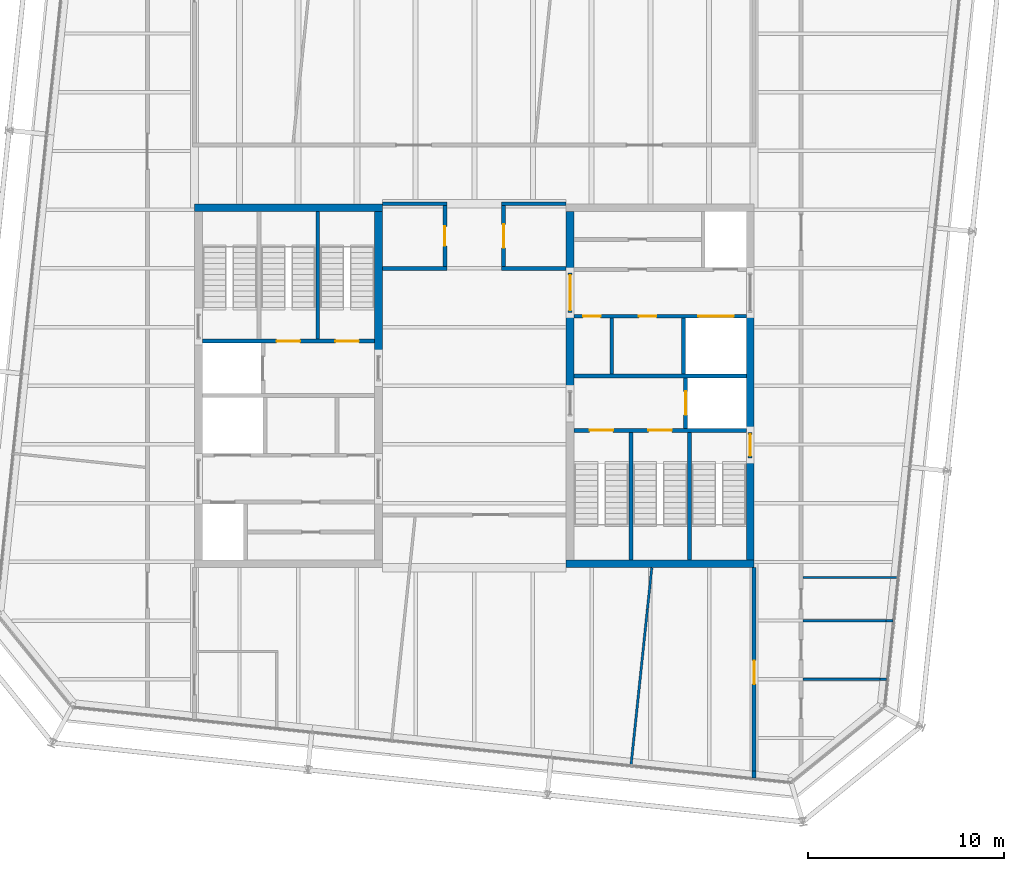
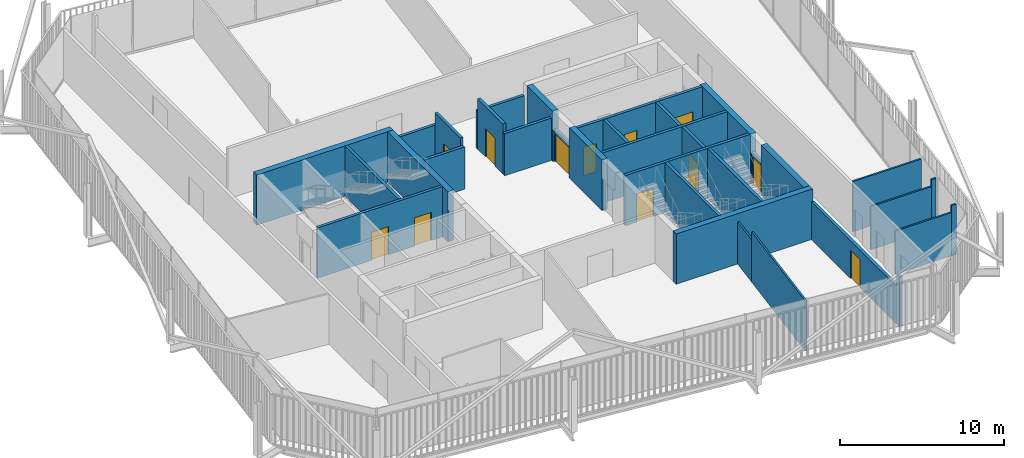
# One storey, part 18 of 21: 34 walls, 13 doors, 13 openings.
"""IFC4 building model written with IfcOpenShell, lengths in metres."""

from ifc_helpers import new_model, si_unit, direction, frame, frame_2d, origin, place, context, subcontext, project, spatial, rectangle, extrude, material, layer, layer_set, type_object, element, fill, save


model = new_model("IFC4")

# Units and contexts
model_context = context("Model", 3, precision=1e-05, world=origin(), true_north=direction((0.0, 1.0)))
body_context = subcontext(model_context, "Body", "Model", "MODEL_VIEW")
ifc_project = project(units=[si_unit("LENGTHUNIT", "METRE"), si_unit("AREAUNIT", "SQUARE_METRE"), si_unit("VOLUMEUNIT", "CUBIC_METRE"), si_unit("PLANEANGLEUNIT", "RADIAN"), si_unit("MASSUNIT", "GRAM", prefix="KILO")], contexts=[model_context])

# Site, building, storey
site_placement = place(None, origin())
site = spatial("IfcSite", under=ifc_project, at=site_placement, CompositionType="ELEMENT")
building_placement = place(site_placement, origin())
building = spatial("IfcBuilding", under=site, at=building_placement, Name="Millrace Tower", CompositionType="ELEMENT")
storey_placement = place(building_placement, frame((0.0, 0.0, 299.39990234375)))
storey = spatial("IfcBuildingStorey", under=building, at=storey_placement, Name="L69", CompositionType="ELEMENT", Elevation=299.39990234375)

# Walls
ifc_material_1 = material(Name="Concrete C60", Category="concrete")
ifc_layer_1 = layer(ifc_material_1, 0.39990234375)
ifc_layer_set_1 = layer_set([ifc_layer_1], Name="Concrete C60")
wall_type_1 = type_object("IfcWallType", Name="Core wall 400 Concrete C60", PredefinedType="SHEAR", material=ifc_layer_set_1)
wall_1_placement = place(storey_placement, frame((-14.300048828125, 9.10009765625, 0.0), z_axis=(0.0, 0.0, 1.0), x_axis=(1.0, 0.0, 0.0)))
element("IfcWall", 1, at=wall_1_placement, inside=storey, type_object=wall_type_1, Name="Core wall W L69", PredefinedType="SHEAR", context=body_context, shape_type="SweptSolid", body=[
    extrude(rectangle(XDim=9.60009765625, YDim=0.39990234375, at=frame_2d((4.800048828125, 0.0))), origin(), (0.0, 0.0, 1.0), 3.739990234375),
])
wall_2_placement = place(storey_placement, frame((-4.89990234375, 1.550048828125, 0.0), z_axis=(0.0, 0.0, 1.0), x_axis=(0.0, 1.0, 0.0)))
element("IfcWall", 2, at=wall_2_placement, inside=storey, type_object=wall_type_1, Name="Core wall W L69", PredefinedType="SHEAR", context=body_context, shape_type="SweptSolid", body=[
    extrude(rectangle(XDim=7.349853515625, YDim=0.39990234375, at=frame_2d((3.6748046875, 0.0))), origin(), (0.0, 0.0, 1.0), 3.739990234375),
])
wall_3_placement = place(storey_placement, frame((14.300048828125, -9.10009765625, 0.0), z_axis=(0.0, 0.0, 1.0), x_axis=(-1.0, 0.0, 0.0)))
element("IfcWall", 3, at=wall_3_placement, inside=storey, type_object=wall_type_1, Name="Core wall E L69", PredefinedType="SHEAR", context=body_context, shape_type="SweptSolid", body=[
    extrude(rectangle(XDim=9.60009765625, YDim=0.39990234375, at=frame_2d((4.800048828125, 0.0))), origin(), (0.0, 0.0, 1.0), 3.739990234375),
])
wall_4_placement = place(storey_placement, frame((14.10009765625, 3.75, 0.0), z_axis=(0.0, 0.0, 1.0), x_axis=(0.0, -1.0, 0.0)))
element("IfcWall", 4, at=wall_4_placement, inside=storey, type_object=wall_type_1, Name="Core wall E L69", PredefinedType="SHEAR", context=body_context, shape_type="SweptSolid", body=[
    extrude(rectangle(XDim=6.1298828125, YDim=0.39990234375, at=frame_2d((3.06494140625, 0.0))), origin(), (0.0, 0.0, 1.0), 3.739990234375),
])
wall_5_placement = place(storey_placement, frame((14.10009765625, -3.679931640625, 0.0), z_axis=(0.0, 0.0, 1.0), x_axis=(0.0, -1.0, 0.0)))
element("IfcWall", 5, at=wall_5_placement, inside=storey, type_object=wall_type_1, Name="Core wall E L69", PredefinedType="SHEAR", context=body_context, shape_type="SweptSolid", body=[
    extrude(rectangle(XDim=5.219970703125, YDim=0.39990234375, at=frame_2d((2.60986328125, 0.0))), origin(), (0.0, 0.0, 1.0), 3.739990234375),
])
wall_6_placement = place(storey_placement, frame((4.89990234375, 8.89990234375, 0.0), z_axis=(0.0, 0.0, 1.0), x_axis=(0.0, -1.0, 0.0)))
element("IfcWall", 6, at=wall_6_placement, inside=storey, type_object=wall_type_1, Name="Core wall E L69", PredefinedType="SHEAR", context=body_context, shape_type="SweptSolid", body=[
    extrude(rectangle(XDim=3.14990234375, YDim=0.39990234375, at=frame_2d((1.574951171875, 0.0))), origin(), (0.0, 0.0, 1.0), 3.739990234375),
])
wall_7_placement = place(storey_placement, frame((4.89990234375, 3.75, 0.0), z_axis=(0.0, 0.0, 1.0), x_axis=(0.0, -1.0, 0.0)))
element("IfcWall", 7, at=wall_7_placement, inside=storey, type_object=wall_type_1, Name="Core wall E L69", PredefinedType="SHEAR", context=body_context, shape_type="SweptSolid", body=[
    extrude(rectangle(XDim=4.0, YDim=0.39990234375, at=frame_2d((2.0, 0.0))), origin(), (0.0, 0.0, 1.0), 3.739990234375),
])
ifc_material_2 = material(Name="Masonry partition, fire-rated", Category="masonry")
ifc_layer_2 = layer(ifc_material_2, 0.199951171875)
ifc_layer_set_2 = layer_set([ifc_layer_2], Name="Masonry partition, fire-rated")
wall_type_2 = type_object("IfcWallType", Name="Corridor wall 200", PredefinedType="PARTITIONING", material=ifc_layer_set_2)
for number, where, z_axis, x_axis, name in (
    (8, (-4.699951171875, 6.0, 0.0), (0.0, 0.0, 1.0), (1.0, 0.0, 0.0), "Corridor wall L69"),
    (9, (1.39990234375, 6.0, 0.0), (0.0, 0.0, 1.0), (1.0, 0.0, 0.0), "Corridor wall L69"),
):
    element("IfcWall", number, at=place(storey_placement, frame(where, z_axis=z_axis, x_axis=x_axis)), inside=storey, type_object=wall_type_2, Name=name, PredefinedType="PARTITIONING", context=body_context, shape_type="SweptSolid", body=[
        extrude(rectangle(XDim=3.300048828125, YDim=0.199951171875, at=frame_2d((1.64990234375, 0.0))), origin(), (0.0, 0.0, 1.0), 3.140625),
    ])
for number, where, z_axis, x_axis, name in (
    (10, (-4.699951171875, 9.300048828125, 0.0), (0.0, 0.0, 1.0), (1.0, 0.0, 0.0), "Corridor wall L69"),
    (11, (1.39990234375, 9.300048828125, 0.0), (0.0, 0.0, 1.0), (1.0, 0.0, 0.0), "Corridor wall L69"),
):
    element("IfcWall", number, at=place(storey_placement, frame(where, z_axis=z_axis, x_axis=x_axis)), inside=storey, type_object=wall_type_2, Name=name, PredefinedType="PARTITIONING", context=body_context, shape_type="SweptSolid", body=[
        extrude(rectangle(XDim=3.300048828125, YDim=0.199951171875, at=frame_2d((1.64990234375, 0.0))), origin(), (0.0, 0.0, 1.0), 2.81298828125),
    ])
wall_8_placement = place(storey_placement, frame((14.300048828125, -20.037353515625, 0.0), z_axis=(0.0, 0.0, 1.0), x_axis=(0.0, 1.0, 0.0)))
element("IfcWall", 12, at=wall_8_placement, inside=storey, type_object=wall_type_2, Name="Corridor wall L69", PredefinedType="PARTITIONING", context=body_context, shape_type="SweptSolid", body=[
    extrude(rectangle(XDim=0.339111328125, YDim=0.199951171875, at=frame_2d((0.16943359375, 0.0))), origin(), (0.0, 0.0, 1.0), 3.739990234375),
])

# Wall, opening, door
wall_9_placement = place(storey_placement, frame((14.300048828125, -19.6982421875, 0.0), z_axis=(0.0, 0.0, 1.0), x_axis=(0.0, 1.0, 0.0)))
wall_9 = element("IfcWall", 13, at=wall_9_placement, inside=storey, type_object=wall_type_2, Name="Corridor wall L69", PredefinedType="PARTITIONING", context=body_context, shape_type="SweptSolid", body=[
    extrude(rectangle(XDim=10.398193359375, YDim=0.199951171875, at=frame_2d((5.19921875, 0.0))), origin(), (0.0, 0.0, 1.0), 2.81298828125),
])
opening_1_placement = place(wall_9_placement, frame((4.454833984375, 0.0, 0.0)))
opening_1 = element("IfcOpeningElement", 14, at=opening_1_placement, cuts=wall_9, Name="Opening 69-P013", PredefinedType="OPENING", context=body_context, shape_type="SweptSolid", body=[
    extrude(rectangle(XDim=1.199951171875, YDim=2.10009765625, at=frame_2d((0.60009765625, 1.050048828125))), frame((0.0, 0.10986328125, 0.0), z_axis=(0.0, -1.0, 0.0), x_axis=(1.0, 0.0, 0.0)), (0.0, 0.0, 1.0), 0.219970703125),
])
ifc_material_3 = material(Name="Steel door set, fire-rated", Category="steel")
door_type_1 = type_object("IfcDoorType", Name="Corridor door 1200 x 2100", OperationType="SINGLE_SWING_LEFT", PredefinedType="DOOR", material=ifc_material_3)
door_1_placement = place(opening_1_placement, origin())
door_1 = element("IfcDoor", 15, at=door_1_placement, inside=storey, type_object=door_type_1, Name="Door 69-P013", OperationType="SINGLE_SWING_LEFT", OverallHeight=2.10009765625, OverallWidth=1.199951171875, PredefinedType="DOOR", context=body_context, shape_type="SweptSolid", body=[
    extrude(rectangle(XDim=1.199951171875, YDim=2.10009765625, at=frame_2d((0.60009765625, 1.050048828125))), frame((0.0, 0.02490234375, 0.0), z_axis=(0.0, -1.0, 0.0), x_axis=(1.0, 0.0, 0.0)), (0.0, 0.0, 1.0), 0.050048828125),
])
fill(opening_1, door_1)

wall_10_placement = place(storey_placement, frame((1.5, 6.10009765625, 0.0), z_axis=(0.0, 0.0, 1.0), x_axis=(0.0, 1.0, 0.0)))
wall_10 = element("IfcWall", 16, at=wall_10_placement, inside=storey, type_object=wall_type_2, Name="Corridor wall L69", PredefinedType="PARTITIONING", context=body_context, shape_type="SweptSolid", body=[
    extrude(rectangle(XDim=3.099853515625, YDim=0.199951171875, at=frame_2d((1.5498046875, 0.0))), origin(), (0.0, 0.0, 1.0), 3.739990234375),
])
opening_2_placement = place(wall_10_placement, frame((0.949951171875, 0.0, 0.0)))
opening_2 = element("IfcOpeningElement", 17, at=opening_2_placement, cuts=wall_10, Name="Opening 69-P002", PredefinedType="OPENING", context=body_context, shape_type="SweptSolid", body=[
    extrude(rectangle(XDim=1.199951171875, YDim=2.10009765625, at=frame_2d((0.60009765625, 1.050048828125))), frame((0.0, 0.10986328125, 0.0), z_axis=(0.0, -1.0, 0.0), x_axis=(1.0, 0.0, 0.0)), (0.0, 0.0, 1.0), 0.219970703125),
])
door_2_placement = place(opening_2_placement, frame((1.199951171875, 0.0, 0.0), z_axis=(0.0, 0.0, 1.0), x_axis=(-1.0, 0.0, 0.0)))
door_2 = element("IfcDoor", 18, at=door_2_placement, inside=storey, type_object=door_type_1, Name="Door 69-P002", OperationType="SINGLE_SWING_LEFT", OverallHeight=2.10009765625, OverallWidth=1.199951171875, PredefinedType="DOOR", context=body_context, shape_type="SweptSolid", body=[
    extrude(rectangle(XDim=1.199951171875, YDim=2.10009765625, at=frame_2d((0.60009765625, 1.050048828125))), frame((0.0, 0.02490234375, 0.0), z_axis=(0.0, -1.0, 0.0), x_axis=(1.0, 0.0, 0.0)), (0.0, 0.0, 1.0), 0.050048828125),
])
fill(opening_2, door_2)

wall_11_placement = place(storey_placement, frame((-1.5, 6.10009765625, 0.0), z_axis=(0.0, 0.0, 1.0), x_axis=(0.0, 1.0, 0.0)))
wall_11 = element("IfcWall", 19, at=wall_11_placement, inside=storey, type_object=wall_type_2, Name="Corridor wall L69", PredefinedType="PARTITIONING", context=body_context, shape_type="SweptSolid", body=[
    extrude(rectangle(XDim=3.099853515625, YDim=0.199951171875, at=frame_2d((1.5498046875, 0.0))), origin(), (0.0, 0.0, 1.0), 3.739990234375),
])
opening_3_placement = place(wall_11_placement, frame((1.050048828125, 0.0, 0.0)))
opening_3 = element("IfcOpeningElement", 20, at=opening_3_placement, cuts=wall_11, Name="Opening 69-P001", PredefinedType="OPENING", context=body_context, shape_type="SweptSolid", body=[
    extrude(rectangle(XDim=1.0, YDim=2.10009765625, at=frame_2d((0.5, 1.050048828125))), frame((0.0, 0.10986328125, 0.0), z_axis=(0.0, -1.0, 0.0), x_axis=(1.0, 0.0, 0.0)), (0.0, 0.0, 1.0), 0.219970703125),
])
ifc_material_4 = material(Name="Steel door set, fire-rated", Category="steel")
door_type_2 = type_object("IfcDoorType", Name="Corridor door 1000 x 2100", OperationType="SINGLE_SWING_LEFT", PredefinedType="DOOR", material=ifc_material_4)
door_3_placement = place(opening_3_placement, origin())
door_3 = element("IfcDoor", 21, at=door_3_placement, inside=storey, type_object=door_type_2, Name="Door 69-P001", OperationType="SINGLE_SWING_RIGHT", OverallHeight=2.10009765625, OverallWidth=1.0, PredefinedType="DOOR", context=body_context, shape_type="SweptSolid", body=[
    extrude(rectangle(XDim=1.0, YDim=2.10009765625, at=frame_2d((0.5, 1.050048828125))), frame((0.0, 0.02490234375, 0.0), z_axis=(0.0, -1.0, 0.0), x_axis=(1.0, 0.0, 0.0)), (0.0, 0.0, 1.0), 0.050048828125),
])
fill(opening_3, door_3)

# Wall, openings, doors
ifc_material_5 = material(Name="Masonry partition, fire-rated", Category="masonry")
ifc_layer_3 = layer(ifc_material_5, 0.199951171875)
ifc_layer_set_3 = layer_set([ifc_layer_3], Name="Masonry partition, fire-rated")
wall_type_3 = type_object("IfcWallType", Name="Lift shaft wall 200", PredefinedType="PARTITIONING", material=ifc_layer_set_3)
wall_12_placement = place(storey_placement, frame((13.89990234375, 3.550048828125, 0.0), z_axis=(0.0, 0.0, 1.0), x_axis=(-1.0, 0.0, 0.0)))
wall_12 = element("IfcWall", 22, at=wall_12_placement, inside=storey, type_object=wall_type_3, Name="Lift shaft wall E L69", PredefinedType="PARTITIONING", context=body_context, shape_type="SweptSolid", body=[
    extrude(rectangle(XDim=8.7998046875, YDim=0.199951171875, at=frame_2d((4.39990234375, 0.0))), origin(), (0.0, 0.0, 1.0), 3.739990234375),
])
opening_4_placement = place(wall_12_placement, frame((0.64990234375, 0.0, 0.0)))
opening_4 = element("IfcOpeningElement", 23, at=opening_4_placement, cuts=wall_12, Name="Opening 69-LD13", PredefinedType="OPENING", context=body_context, shape_type="SweptSolid", body=[
    extrude(rectangle(XDim=1.800048828125, YDim=2.10009765625, at=frame_2d((0.89990234375, 1.050048828125))), frame((0.0, 0.10986328125, 0.0), z_axis=(0.0, -1.0, 0.0), x_axis=(1.0, 0.0, 0.0)), (0.0, 0.0, 1.0), 0.219970703125),
])
opening_5_placement = place(wall_12_placement, frame((4.58740234375, 0.0, 0.0)))
opening_5 = element("IfcOpeningElement", 24, at=opening_5_placement, cuts=wall_12, Name="Opening 69-C017", PredefinedType="OPENING", context=body_context, shape_type="SweptSolid", body=[
    extrude(rectangle(XDim=0.89990234375, YDim=2.10009765625, at=frame_2d((0.449951171875, 1.050048828125))), frame((0.0, 0.10986328125, 0.0), z_axis=(0.0, -1.0, 0.0), x_axis=(1.0, 0.0, 0.0)), (0.0, 0.0, 1.0), 0.219970703125),
])
opening_6_placement = place(wall_12_placement, frame((7.4375, 0.0, 0.0)))
opening_6 = element("IfcOpeningElement", 25, at=opening_6_placement, cuts=wall_12, Name="Opening 69-C018", PredefinedType="OPENING", context=body_context, shape_type="SweptSolid", body=[
    extrude(rectangle(XDim=0.89990234375, YDim=2.10009765625, at=frame_2d((0.449951171875, 1.050048828125))), frame((0.0, 0.10986328125, 0.0), z_axis=(0.0, -1.0, 0.0), x_axis=(1.0, 0.0, 0.0)), (0.0, 0.0, 1.0), 0.219970703125),
])
ifc_material_6 = material(Name="Stainless steel, fire-rated", Category="steel")
door_type_3 = type_object("IfcDoorType", Name="Lift landing door 1800 x 2100", OperationType="DOUBLE_DOOR_SLIDING", PredefinedType="DOOR", material=ifc_material_6)
door_4_placement = place(opening_4_placement, origin())
door_4 = element("IfcDoor", 26, at=door_4_placement, inside=storey, type_object=door_type_3, Name="Lift landing door LF13 L69", OperationType="DOUBLE_DOOR_SLIDING", OverallHeight=2.10009765625, OverallWidth=1.800048828125, PredefinedType="DOOR", context=body_context, shape_type="SweptSolid", body=[
    extrude(rectangle(XDim=1.800048828125, YDim=2.10009765625, at=frame_2d((0.89990234375, 1.050048828125))), frame((0.0, 0.02490234375, 0.0), z_axis=(0.0, -1.0, 0.0), x_axis=(1.0, 0.0, 0.0)), (0.0, 0.0, 1.0), 0.050048828125),
])
fill(opening_4, door_4)
ifc_material_7 = material(Name="Steel door, fire-rated", Category="steel")
door_type_4 = type_object("IfcDoorType", Name="Service room door 900 x 2100", OperationType="SINGLE_SWING_LEFT", PredefinedType="DOOR", material=ifc_material_7)
door_5_placement = place(opening_5_placement, origin())
door_5 = element("IfcDoor", 27, at=door_5_placement, inside=storey, type_object=door_type_4, Name="Service room door 69-C017", OperationType="SINGLE_SWING_RIGHT", OverallHeight=2.10009765625, OverallWidth=0.89990234375, PredefinedType="DOOR", context=body_context, shape_type="SweptSolid", body=[
    extrude(rectangle(XDim=0.89990234375, YDim=2.10009765625, at=frame_2d((0.449951171875, 1.050048828125))), frame((0.0, 0.02490234375, 0.0), z_axis=(0.0, -1.0, 0.0), x_axis=(1.0, 0.0, 0.0)), (0.0, 0.0, 1.0), 0.050048828125),
])
fill(opening_5, door_5)
door_6_placement = place(opening_6_placement, origin())
door_6 = element("IfcDoor", 28, at=door_6_placement, inside=storey, type_object=door_type_4, Name="Service room door 69-C018", OperationType="SINGLE_SWING_RIGHT", OverallHeight=2.10009765625, OverallWidth=0.89990234375, PredefinedType="DOOR", context=body_context, shape_type="SweptSolid", body=[
    extrude(rectangle(XDim=0.89990234375, YDim=2.10009765625, at=frame_2d((0.449951171875, 1.050048828125))), frame((0.0, 0.02490234375, 0.0), z_axis=(0.0, -1.0, 0.0), x_axis=(1.0, 0.0, 0.0)), (0.0, 0.0, 1.0), 0.050048828125),
])
fill(opening_6, door_6)

# Wall
wall_13_placement = place(storey_placement, frame((13.89990234375, 0.5, 0.0), z_axis=(0.0, 0.0, 1.0), x_axis=(-1.0, 0.0, 0.0)))
element("IfcWall", 29, at=wall_13_placement, inside=storey, type_object=wall_type_3, Name="Lift shaft wall E L69", PredefinedType="PARTITIONING", context=body_context, shape_type="SweptSolid", body=[
    extrude(rectangle(XDim=8.7998046875, YDim=0.199951171875, at=frame_2d((4.39990234375, 0.0))), origin(), (0.0, 0.0, 1.0), 3.739990234375),
])

# Wall, opening, door
wall_14_placement = place(storey_placement, frame((10.800048828125, 0.39990234375, 0.0), z_axis=(0.0, 0.0, 1.0), x_axis=(0.0, -1.0, 0.0)))
wall_14 = element("IfcWall", 30, at=wall_14_placement, inside=storey, type_object=wall_type_3, Name="Lift shaft wall E L69", PredefinedType="PARTITIONING", context=body_context, shape_type="SweptSolid", body=[
    extrude(rectangle(XDim=2.579833984375, YDim=0.199951171875, at=frame_2d((1.2900390625, 0.0))), origin(), (0.0, 0.0, 1.0), 3.739990234375),
])
opening_7_placement = place(wall_14_placement, frame((0.68994140625, 0.0, 0.0)))
opening_7 = element("IfcOpeningElement", 31, at=opening_7_placement, cuts=wall_14, Name="Opening 69-LD16", PredefinedType="OPENING", context=body_context, shape_type="SweptSolid", body=[
    extrude(rectangle(XDim=1.199951171875, YDim=2.10009765625, at=frame_2d((0.60009765625, 1.050048828125))), frame((0.0, 0.10986328125, 0.0), z_axis=(0.0, -1.0, 0.0), x_axis=(1.0, 0.0, 0.0)), (0.0, 0.0, 1.0), 0.219970703125),
])
ifc_material_8 = material(Name="Stainless steel, fire-rated", Category="steel")
door_type_5 = type_object("IfcDoorType", Name="Lift landing door 1200 x 2100", OperationType="DOUBLE_DOOR_SLIDING", PredefinedType="DOOR", material=ifc_material_8)
door_7_placement = place(opening_7_placement, origin())
door_7 = element("IfcDoor", 32, at=door_7_placement, inside=storey, type_object=door_type_5, Name="Lift landing door LF16 L69", OperationType="DOUBLE_DOOR_SLIDING", OverallHeight=2.10009765625, OverallWidth=1.199951171875, PredefinedType="DOOR", context=body_context, shape_type="SweptSolid", body=[
    extrude(rectangle(XDim=1.199951171875, YDim=2.10009765625, at=frame_2d((0.60009765625, 1.050048828125))), frame((0.0, 0.02490234375, 0.0), z_axis=(0.0, -1.0, 0.0), x_axis=(1.0, 0.0, 0.0)), (0.0, 0.0, 1.0), 0.050048828125),
])
fill(opening_7, door_7)

# Wall
wall_15_placement = place(storey_placement, frame((10.699951171875, 3.449951171875, 0.0), z_axis=(0.0, 0.0, 1.0), x_axis=(0.0, -1.0, 0.0)))
element("IfcWall", 33, at=wall_15_placement, inside=storey, type_object=wall_type_3, Name="Lift shaft wall E L69", PredefinedType="PARTITIONING", context=body_context, shape_type="SweptSolid", body=[
    extrude(rectangle(XDim=2.849853515625, YDim=0.199951171875, at=frame_2d((1.4248046875, 0.0))), origin(), (0.0, 0.0, 1.0), 3.739990234375),
])

# Wall, opening, door
ifc_material_9 = material(Name="Masonry partition, fire-rated", Category="masonry")
ifc_layer_4 = layer(ifc_material_9, 0.199951171875)
ifc_layer_set_4 = layer_set([ifc_layer_4], Name="Masonry partition, fire-rated")
wall_type_4 = type_object("IfcWallType", Name="Lobby wall 200", PredefinedType="PARTITIONING", material=ifc_layer_set_4)
wall_16_placement = place(storey_placement, frame((4.89990234375, 5.75, 0.0), z_axis=(0.0, 0.0, 1.0), x_axis=(0.0, -1.0, 0.0)))
wall_16 = element("IfcWall", 34, at=wall_16_placement, inside=storey, type_object=wall_type_4, Name="Lobby wall E L69", PredefinedType="PARTITIONING", context=body_context, shape_type="SweptSolid", body=[
    extrude(rectangle(XDim=2.0, YDim=0.199951171875, at=frame_2d((1.0, 0.0))), origin(), (0.0, 0.0, 1.0), 2.400146484375),
])
opening_8_placement = place(wall_16_placement, frame((0.10009765625, 0.0, 0.0)))
opening_8 = element("IfcOpeningElement", 35, at=opening_8_placement, cuts=wall_16, Name="Opening 69-C013", PredefinedType="OPENING", context=body_context, shape_type="SweptSolid", body=[
    extrude(rectangle(XDim=1.800048828125, YDim=2.10009765625, at=frame_2d((0.89990234375, 1.050048828125))), frame((0.0, 0.10986328125, 0.0), z_axis=(0.0, -1.0, 0.0), x_axis=(1.0, 0.0, 0.0)), (0.0, 0.0, 1.0), 0.219970703125),
])
ifc_material_10 = material(Name="Steel door, fire-rated", Category="steel")
door_type_6 = type_object("IfcDoorType", Name="Lobby door 1800 x 2100", OperationType="DOUBLE_DOOR_SINGLE_SWING", PredefinedType="DOOR", material=ifc_material_10)
door_8_placement = place(opening_8_placement, frame((1.800048828125, 0.0, 0.0), z_axis=(0.0, 0.0, 1.0), x_axis=(-1.0, 0.0, 0.0)))
door_8 = element("IfcDoor", 36, at=door_8_placement, inside=storey, type_object=door_type_6, Name="Lobby door 69-C013", OperationType="DOUBLE_DOOR_SINGLE_SWING", OverallHeight=2.10009765625, OverallWidth=1.800048828125, PredefinedType="DOOR", context=body_context, shape_type="SweptSolid", body=[
    extrude(rectangle(XDim=1.800048828125, YDim=2.10009765625, at=frame_2d((0.89990234375, 1.050048828125))), frame((0.0, 0.02490234375, 0.0), z_axis=(0.0, -1.0, 0.0), x_axis=(1.0, 0.0, 0.0)), (0.0, 0.0, 1.0), 0.050048828125),
])
fill(opening_8, door_8)

# Walls
ifc_material_11 = material(Name="Gypsum board partition")
ifc_layer_5 = layer(ifc_material_11, 0.1201171875)
ifc_layer_set_5 = layer_set([ifc_layer_5], Name="Gypsum board partition")
wall_type_5 = type_object("IfcWallType", Name="Partition wall 120", PredefinedType="PARTITIONING", material=ifc_layer_set_5)
wall_17_placement = place(storey_placement, frame((16.800048828125, -15.0, 0.0), z_axis=(0.0, 0.0, 1.0), x_axis=(1.0, 0.0, 0.0)))
element("IfcWall", 37, at=wall_17_placement, inside=storey, type_object=wall_type_5, Name="Partition wall L69", PredefinedType="PARTITIONING", context=body_context, shape_type="SweptSolid", body=[
    extrude(rectangle(XDim=3.932373046875, YDim=0.1201171875, at=frame_2d((1.96630859375, 0.0))), origin(), (0.0, 0.0, 1.0), 3.21435546875),
])
wall_18_placement = place(storey_placement, frame((20.732421875, -15.0, 0.0), z_axis=(0.0, 0.0, 1.0), x_axis=(1.0, 0.0, 0.0)))
element("IfcWall", 38, at=wall_18_placement, inside=storey, type_object=wall_type_5, Name="Partition wall L69", PredefinedType="PARTITIONING", context=body_context, shape_type="SweptSolid", body=[
    extrude(rectangle(XDim=0.33935546875, YDim=0.1201171875, at=frame_2d((0.169677734375, 0.0))), origin(), (0.0, 0.0, 1.0), 3.739990234375),
])
wall_19_placement = place(storey_placement, frame((16.800048828125, -12.0, 0.0), z_axis=(0.0, 0.0, 1.0), x_axis=(1.0, 0.0, 0.0)))
element("IfcWall", 39, at=wall_19_placement, inside=storey, type_object=wall_type_5, Name="Partition wall L69", PredefinedType="PARTITIONING", context=body_context, shape_type="SweptSolid", body=[
    extrude(rectangle(XDim=4.247802734375, YDim=0.1201171875, at=frame_2d((2.1240234375, 0.0))), origin(), (0.0, 0.0, 1.0), 3.21435546875),
])
wall_20_placement = place(storey_placement, frame((21.0478515625, -12.0, 0.0), z_axis=(0.0, 0.0, 1.0), x_axis=(1.0, 0.0, 0.0)))
element("IfcWall", 40, at=wall_20_placement, inside=storey, type_object=wall_type_5, Name="Partition wall L69", PredefinedType="PARTITIONING", context=body_context, shape_type="SweptSolid", body=[
    extrude(rectangle(XDim=0.339111328125, YDim=0.1201171875, at=frame_2d((0.16943359375, 0.0))), origin(), (0.0, 0.0, 1.0), 3.739990234375),
])
wall_21_placement = place(storey_placement, frame((16.800048828125, -9.800048828125, 0.0), z_axis=(0.0, 0.0, 1.0), x_axis=(1.0, 0.0, 0.0)))
element("IfcWall", 41, at=wall_21_placement, inside=storey, type_object=wall_type_5, Name="Partition wall L69", PredefinedType="PARTITIONING", context=body_context, shape_type="SweptSolid", body=[
    extrude(rectangle(XDim=4.818115234375, YDim=0.1201171875, at=frame_2d((2.4091796875, 0.0))), origin(), (0.0, 0.0, 1.0), 3.739990234375),
])
wall_22_placement = place(storey_placement, frame((8.0126953125, -19.376708984375, 0.0), z_axis=(0.0, 0.0, 1.0), x_axis=(0.104553276341, 0.994519287096, 0.0)))
element("IfcWall", 42, at=wall_22_placement, inside=storey, type_object=wall_type_5, Name="Partition wall L69", PredefinedType="PARTITIONING", context=body_context, shape_type="SweptSolid", body=[
    extrude(rectangle(XDim=8.02099609375, YDim=0.1201171875, at=frame_2d((4.010498046875, 0.0))), origin(), (0.0, 0.0, 1.0), 3.739990234375),
])
wall_23_placement = place(storey_placement, frame((8.851318359375, -11.399658203125, 0.0), z_axis=(0.0, 0.0, 1.0), x_axis=(0.1045403102, 0.994520650134, 0.0)))
element("IfcWall", 43, at=wall_23_placement, inside=storey, type_object=wall_type_5, Name="Partition wall L69", PredefinedType="PARTITIONING", context=body_context, shape_type="SweptSolid", body=[
    extrude(rectangle(XDim=2.111083984375, YDim=0.1201171875, at=frame_2d((1.0556640625, 0.0))), origin(), (0.0, 0.0, 1.0), 3.140625),
])
ifc_material_12 = material(Name="Masonry partition, fire-rated", Category="masonry")
ifc_layer_6 = layer(ifc_material_12, 0.199951171875)
ifc_layer_set_6 = layer_set([ifc_layer_6], Name="Masonry partition, fire-rated")
wall_type_6 = type_object("IfcWallType", Name="Room partition 200", PredefinedType="PARTITIONING", material=ifc_layer_set_6)
wall_24_placement = place(storey_placement, frame((7.02490234375, 3.449951171875, 0.0), z_axis=(0.0, 0.0, 1.0), x_axis=(0.0, -1.0, 0.0)))
element("IfcWall", 44, at=wall_24_placement, inside=storey, type_object=wall_type_6, Name="Room partition E L69", PredefinedType="PARTITIONING", context=body_context, shape_type="SweptSolid", body=[
    extrude(rectangle(XDim=2.849853515625, YDim=0.199951171875, at=frame_2d((1.4248046875, 0.0))), origin(), (0.0, 0.0, 1.0), 3.739990234375),
])

# Wall, openings, doors
ifc_material_13 = material(Name="Concrete C40", Category="concrete")
ifc_layer_7 = layer(ifc_material_13, 0.199951171875)
ifc_layer_set_7 = layer_set([ifc_layer_7], Name="Concrete C40")
wall_type_7 = type_object("IfcWallType", Name="Stair enclosure wall 200 Concrete C40", PredefinedType="SHEAR", material=ifc_layer_set_7)
wall_25_placement = place(storey_placement, frame((-13.89990234375, 2.280029296875, 0.0), z_axis=(0.0, 0.0, 1.0), x_axis=(1.0, 0.0, 0.0)))
wall_25 = element("IfcWall", 45, at=wall_25_placement, inside=storey, type_object=wall_type_7, Name="Stair enclosure wall W L69", PredefinedType="SHEAR", context=body_context, shape_type="SweptSolid", body=[
    extrude(rectangle(XDim=8.7998046875, YDim=0.199951171875, at=frame_2d((4.39990234375, 0.0))), origin(), (0.0, 0.0, 1.0), 3.739990234375),
])
opening_9_placement = place(wall_25_placement, frame((3.800048828125, 0.0, 0.0)))
opening_9 = element("IfcOpeningElement", 46, at=opening_9_placement, cuts=wall_25, Name="Opening 69-C009", PredefinedType="OPENING", context=body_context, shape_type="SweptSolid", body=[
    extrude(rectangle(XDim=1.199951171875, YDim=2.10009765625, at=frame_2d((0.60009765625, 1.050048828125))), frame((0.0, 0.10986328125, 0.0), z_axis=(0.0, -1.0, 0.0), x_axis=(1.0, 0.0, 0.0)), (0.0, 0.0, 1.0), 0.219970703125),
])
opening_10_placement = place(wall_25_placement, frame((6.800048828125, 0.0, 0.0)))
opening_10 = element("IfcOpeningElement", 47, at=opening_10_placement, cuts=wall_25, Name="Opening 69-C010", PredefinedType="OPENING", context=body_context, shape_type="SweptSolid", body=[
    extrude(rectangle(XDim=1.199951171875, YDim=2.10009765625, at=frame_2d((0.60009765625, 1.050048828125))), frame((0.0, 0.10986328125, 0.0), z_axis=(0.0, -1.0, 0.0), x_axis=(1.0, 0.0, 0.0)), (0.0, 0.0, 1.0), 0.219970703125),
])
ifc_material_14 = material(Name="Steel door, fire-rated", Category="steel")
door_type_7 = type_object("IfcDoorType", Name="Stair door 1200 x 2100", OperationType="SINGLE_SWING_LEFT", PredefinedType="DOOR", material=ifc_material_14)
door_9_placement = place(opening_9_placement, frame((1.199951171875, 0.0, 0.0), z_axis=(0.0, 0.0, 1.0), x_axis=(-1.0, 0.0, 0.0)))
door_9 = element("IfcDoor", 48, at=door_9_placement, inside=storey, type_object=door_type_7, Name="Stair door 69-C009", OperationType="SINGLE_SWING_RIGHT", OverallHeight=2.10009765625, OverallWidth=1.199951171875, PredefinedType="DOOR", context=body_context, shape_type="SweptSolid", body=[
    extrude(rectangle(XDim=1.199951171875, YDim=2.10009765625, at=frame_2d((0.60009765625, 1.050048828125))), frame((0.0, 0.02490234375, 0.0), z_axis=(0.0, -1.0, 0.0), x_axis=(1.0, 0.0, 0.0)), (0.0, 0.0, 1.0), 0.050048828125),
])
fill(opening_9, door_9)
door_10_placement = place(opening_10_placement, frame((1.199951171875, 0.0, 0.0), z_axis=(0.0, 0.0, 1.0), x_axis=(-1.0, 0.0, 0.0)))
door_10 = element("IfcDoor", 49, at=door_10_placement, inside=storey, type_object=door_type_7, Name="Stair door 69-C010", OperationType="SINGLE_SWING_LEFT", OverallHeight=2.10009765625, OverallWidth=1.199951171875, PredefinedType="DOOR", context=body_context, shape_type="SweptSolid", body=[
    extrude(rectangle(XDim=1.199951171875, YDim=2.10009765625, at=frame_2d((0.60009765625, 1.050048828125))), frame((0.0, 0.02490234375, 0.0), z_axis=(0.0, -1.0, 0.0), x_axis=(1.0, 0.0, 0.0)), (0.0, 0.0, 1.0), 0.050048828125),
])
fill(opening_10, door_10)

# Wall
wall_26_placement = place(storey_placement, frame((-8.0, 2.3798828125, 0.0), z_axis=(0.0, 0.0, 1.0), x_axis=(0.0, 1.0, 0.0)))
element("IfcWall", 50, at=wall_26_placement, inside=storey, type_object=wall_type_7, Name="Stair enclosure wall W L69", PredefinedType="SHEAR", context=body_context, shape_type="SweptSolid", body=[
    extrude(rectangle(XDim=6.52001953125, YDim=0.199951171875, at=frame_2d((3.260009765625, 0.0))), origin(), (0.0, 0.0, 1.0), 3.739990234375),
])

# Wall, opening, door
wall_27_placement = place(storey_placement, frame((14.10009765625, -2.3798828125, 0.0), z_axis=(0.0, 0.0, 1.0), x_axis=(0.0, -1.0, 0.0)))
wall_27 = element("IfcWall", 51, at=wall_27_placement, inside=storey, type_object=wall_type_7, Name="Stair enclosure wall E L69", PredefinedType="SHEAR", context=body_context, shape_type="SweptSolid", body=[
    extrude(rectangle(XDim=1.300048828125, YDim=0.199951171875, at=frame_2d((0.64990234375, 0.0))), origin(), (0.0, 0.0, 1.0), 2.400146484375),
])
opening_11_placement = place(wall_27_placement, frame((0.10009765625, 0.0, 0.0)))
opening_11 = element("IfcOpeningElement", 52, at=opening_11_placement, cuts=wall_27, Name="Opening 69-C012", PredefinedType="OPENING", context=body_context, shape_type="SweptSolid", body=[
    extrude(rectangle(XDim=1.10009765625, YDim=2.10009765625, at=frame_2d((0.550048828125, 1.050048828125))), frame((0.0, 0.10986328125, 0.0), z_axis=(0.0, -1.0, 0.0), x_axis=(1.0, 0.0, 0.0)), (0.0, 0.0, 1.0), 0.219970703125),
])
ifc_material_15 = material(Name="Steel door, fire-rated", Category="steel")
door_type_8 = type_object("IfcDoorType", Name="Stair door 1100 x 2100", OperationType="SINGLE_SWING_LEFT", PredefinedType="DOOR", material=ifc_material_15)
door_11_placement = place(opening_11_placement, origin())
door_11 = element("IfcDoor", 53, at=door_11_placement, inside=storey, type_object=door_type_8, Name="Stair door 69-C012", OperationType="SINGLE_SWING_LEFT", OverallHeight=2.10009765625, OverallWidth=1.10009765625, PredefinedType="DOOR", context=body_context, shape_type="SweptSolid", body=[
    extrude(rectangle(XDim=1.10009765625, YDim=2.10009765625, at=frame_2d((0.550048828125, 1.050048828125))), frame((0.0, 0.02490234375, 0.0), z_axis=(0.0, -1.0, 0.0), x_axis=(1.0, 0.0, 0.0)), (0.0, 0.0, 1.0), 0.050048828125),
])
fill(opening_11, door_11)

# Wall, openings, doors
wall_28_placement = place(storey_placement, frame((13.89990234375, -2.280029296875, 0.0), z_axis=(0.0, 0.0, 1.0), x_axis=(-1.0, 0.0, 0.0)))
wall_28 = element("IfcWall", 54, at=wall_28_placement, inside=storey, type_object=wall_type_7, Name="Stair enclosure wall E L69", PredefinedType="SHEAR", context=body_context, shape_type="SweptSolid", body=[
    extrude(rectangle(XDim=8.7998046875, YDim=0.199951171875, at=frame_2d((4.39990234375, 0.0))), origin(), (0.0, 0.0, 1.0), 3.739990234375),
])
opening_12_placement = place(wall_28_placement, frame((3.800048828125, 0.0, 0.0)))
opening_12 = element("IfcOpeningElement", 55, at=opening_12_placement, cuts=wall_28, Name="Opening 69-C019", PredefinedType="OPENING", context=body_context, shape_type="SweptSolid", body=[
    extrude(rectangle(XDim=1.199951171875, YDim=2.10009765625, at=frame_2d((0.60009765625, 1.050048828125))), frame((0.0, 0.10986328125, 0.0), z_axis=(0.0, -1.0, 0.0), x_axis=(1.0, 0.0, 0.0)), (0.0, 0.0, 1.0), 0.219970703125),
])
opening_13_placement = place(wall_28_placement, frame((6.800048828125, 0.0, 0.0)))
opening_13 = element("IfcOpeningElement", 56, at=opening_13_placement, cuts=wall_28, Name="Opening 69-C020", PredefinedType="OPENING", context=body_context, shape_type="SweptSolid", body=[
    extrude(rectangle(XDim=1.199951171875, YDim=2.10009765625, at=frame_2d((0.60009765625, 1.050048828125))), frame((0.0, 0.10986328125, 0.0), z_axis=(0.0, -1.0, 0.0), x_axis=(1.0, 0.0, 0.0)), (0.0, 0.0, 1.0), 0.219970703125),
])
door_12_placement = place(opening_12_placement, frame((1.199951171875, 0.0, 0.0), z_axis=(0.0, 0.0, 1.0), x_axis=(-1.0, 0.0, 0.0)))
door_12 = element("IfcDoor", 57, at=door_12_placement, inside=storey, type_object=door_type_7, Name="Stair door 69-C019", OperationType="SINGLE_SWING_RIGHT", OverallHeight=2.10009765625, OverallWidth=1.199951171875, PredefinedType="DOOR", context=body_context, shape_type="SweptSolid", body=[
    extrude(rectangle(XDim=1.199951171875, YDim=2.10009765625, at=frame_2d((0.60009765625, 1.050048828125))), frame((0.0, 0.02490234375, 0.0), z_axis=(0.0, -1.0, 0.0), x_axis=(1.0, 0.0, 0.0)), (0.0, 0.0, 1.0), 0.050048828125),
])
fill(opening_12, door_12)
door_13_placement = place(opening_13_placement, frame((1.199951171875, 0.0, 0.0), z_axis=(0.0, 0.0, 1.0), x_axis=(-1.0, 0.0, 0.0)))
door_13 = element("IfcDoor", 58, at=door_13_placement, inside=storey, type_object=door_type_7, Name="Stair door 69-C020", OperationType="SINGLE_SWING_LEFT", OverallHeight=2.10009765625, OverallWidth=1.199951171875, PredefinedType="DOOR", context=body_context, shape_type="SweptSolid", body=[
    extrude(rectangle(XDim=1.199951171875, YDim=2.10009765625, at=frame_2d((0.60009765625, 1.050048828125))), frame((0.0, 0.02490234375, 0.0), z_axis=(0.0, -1.0, 0.0), x_axis=(1.0, 0.0, 0.0)), (0.0, 0.0, 1.0), 0.050048828125),
])
fill(opening_13, door_13)

# Walls
for number, where, z_axis, x_axis, name in (
    (59, (11.0, -2.3798828125, 0.0), (0.0, 0.0, 1.0), (0.0, -1.0, 0.0), "Stair enclosure wall E L69"),
    (60, (8.0, -2.3798828125, 0.0), (0.0, 0.0, 1.0), (0.0, -1.0, 0.0), "Stair enclosure wall E L69"),
):
    element("IfcWall", number, at=place(storey_placement, frame(where, z_axis=z_axis, x_axis=x_axis)), inside=storey, type_object=wall_type_7, Name=name, PredefinedType="SHEAR", context=body_context, shape_type="SweptSolid", body=[
        extrude(rectangle(XDim=6.52001953125, YDim=0.199951171875, at=frame_2d((3.260009765625, 0.0))), origin(), (0.0, 0.0, 1.0), 3.739990234375),
    ])

save(model, "model.ifc")
